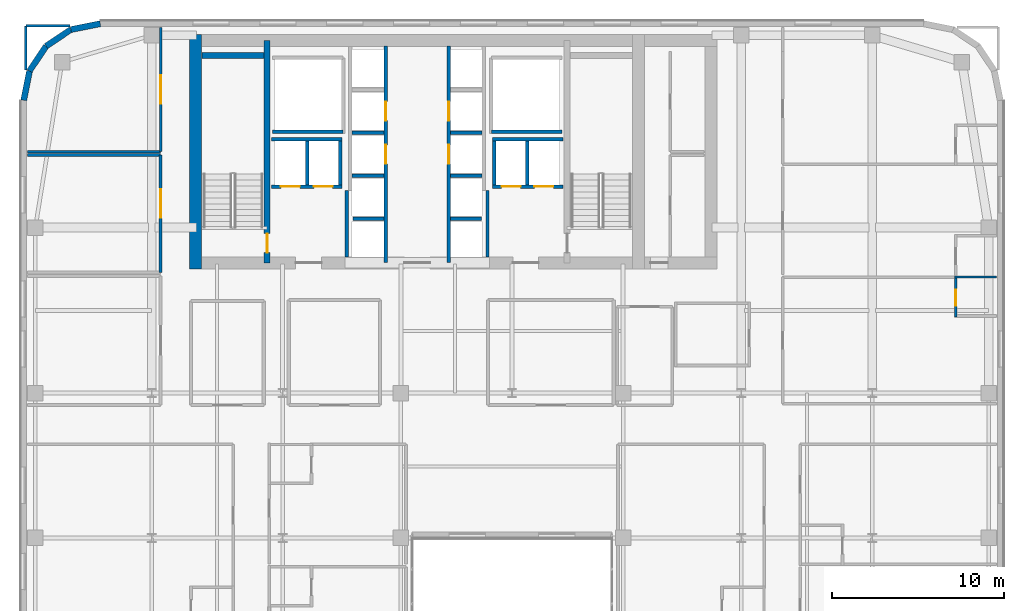
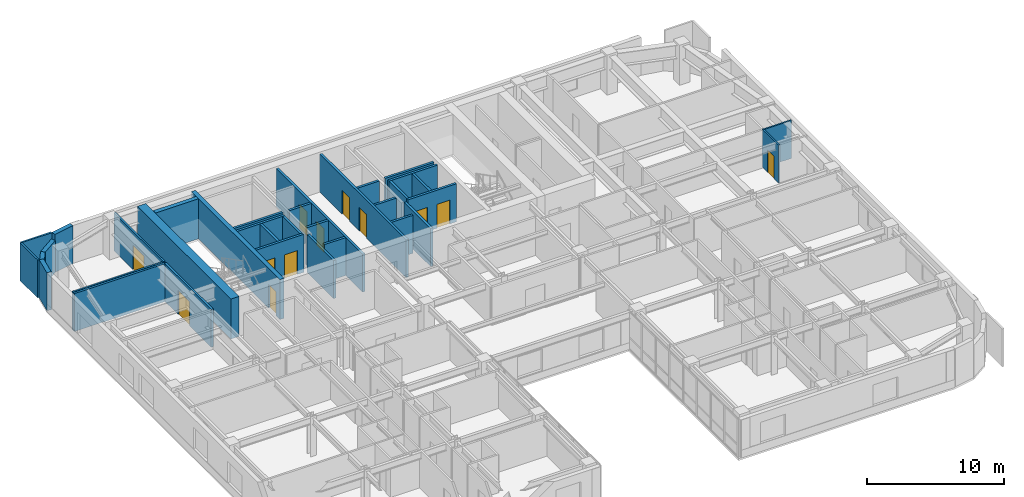
# One storey, part 17 of 24: 35 walls, 12 doors, 12 openings.
"""IFC4 building model written with IfcOpenShell, lengths in metres."""

from ifc_helpers import new_model, si_unit, direction, frame, frame_2d, origin, place, context, subcontext, project, spatial, rectangle, extrude, source, transform, mapped, material, layer, layer_set, type_object, type_shapes, element, fill, save


model = new_model("IFC4")

# Units and contexts
model_context = context("Model", 3, precision=1e-05, world=origin(), true_north=direction((0.0, 1.0)))
body_context = subcontext(model_context, "Body", "Model", "MODEL_VIEW")
ifc_project = project(units=[si_unit("LENGTHUNIT", "METRE"), si_unit("AREAUNIT", "SQUARE_METRE"), si_unit("VOLUMEUNIT", "CUBIC_METRE"), si_unit("PLANEANGLEUNIT", "RADIAN"), si_unit("MASSUNIT", "GRAM", prefix="KILO")], contexts=[model_context])

# Site, building, storey
site_placement = place(None, origin())
site = spatial("IfcSite", under=ifc_project, at=site_placement, CompositionType="ELEMENT")
building_placement = place(site_placement, origin())
building = spatial("IfcBuilding", under=site, at=building_placement, Name="Tolvann Quenvar Hotel", CompositionType="ELEMENT")
storey_placement = place(building_placement, frame((0.0, 0.0, 139.949951171875)))
storey = spatial("IfcBuildingStorey", under=building, at=storey_placement, Name="L36", CompositionType="ELEMENT", Elevation=139.949951171875)

# Wall
ifc_material_1 = material(Name="Concrete S65 (65 MPa)", Category="concrete")
ifc_layer_1 = layer(ifc_material_1, 0.699951171875)
ifc_layer_set_1 = layer_set([ifc_layer_1], Name="Concrete S65 (65 MPa)")
wall_type_1 = type_object("IfcWallType", Name="WALL_CORE_700", PredefinedType="SHEAR", material=ifc_layer_set_1)
wall_1_placement = place(storey_placement, frame((10.14990234375, 31.60009765625, 0.0), z_axis=(0.0, 0.0, 1.0), x_axis=(0.0, 1.0, 0.0)))
element("IfcWall", 1, at=wall_1_placement, inside=storey, type_object=wall_type_1, Name="Rear Core W Shear Wall (L36)", PredefinedType="SHEAR", context=body_context, shape_type="SweptSolid", body=[
    extrude(rectangle(XDim=13.599853515625, YDim=0.699951171875, at=frame_2d((6.7998046875, 0.0))), origin(), (0.0, 0.0, 1.0), 3.550048828125),
])

# Wall, opening, door
ifc_layer_2 = layer(ifc_material_1, 0.35009765625)
ifc_layer_set_2 = layer_set([ifc_layer_2], Name="Concrete S65 (65 MPa)")
wall_type_2 = type_object("IfcWallType", Name="WALL_CORE_INT_350", PredefinedType="SHEAR", material=ifc_layer_set_2)
wall_2_placement = place(storey_placement, frame((14.300048828125, 31.949951171875, 0.0), z_axis=(0.0, 0.0, 1.0), x_axis=(0.0, 1.0, 0.0)))
wall_2 = element("IfcWall", 2, at=wall_2_placement, inside=storey, type_object=wall_type_2, Name="Core Internal Web Shear Wall WEB-W (L36)", PredefinedType="SHEAR", context=body_context, shape_type="SweptSolid", body=[
    extrude(rectangle(XDim=12.900146484375, YDim=0.35009765625, at=frame_2d((6.4501953125, 0.0))), origin(), (0.0, 0.0, 1.0), 3.550048828125),
])
opening_1_placement = place(wall_2_placement, frame((0.60009765625, 0.0, 0.0)))
opening_1 = element("IfcOpeningElement", 3, at=opening_1_placement, cuts=wall_2, Name="Opening FD-120", PredefinedType="OPENING", context=body_context, shape_type="SweptSolid", body=[
    extrude(rectangle(XDim=1.10009765625, YDim=2.1201171875, at=frame_2d((0.550048828125, 1.06005859375))), frame((0.0, 0.18505859375, 0.0), z_axis=(0.0, -1.0, 0.0), x_axis=(1.0, 0.0, 0.0)), (0.0, 0.0, 1.0), 0.3701171875),
])
ifc_material_2 = material(Name="Pressed galvanised steel fire-rated door set", Category="steel")
door_type_1 = type_object("IfcDoorType", Name="DOOR_FIRE_STAIR_1100", OperationType="NOTDEFINED", PredefinedType="DOOR", material=ifc_material_2)
shared_shape_1 = source(origin(), body_context, "Body", "SweptSolid", [
    extrude(rectangle(XDim=1.10009765625, YDim=2.1201171875, at=frame_2d((0.550048828125, 1.06005859375))), frame((0.0, 0.02490234375, 0.0), z_axis=(0.0, -1.0, 0.0), x_axis=(1.0, 0.0, 0.0)), (0.0, 0.0, 1.0), 0.050048828125),
])
type_shapes(door_type_1, [shared_shape_1])
door_1_placement = place(opening_1_placement, origin())
door_1 = element("IfcDoor", 4, at=door_1_placement, inside=storey, type_object=door_type_1, Name="Exit Stair ST-C1 Fire Door (L36)", OperationType="SINGLE_SWING_RIGHT", OverallHeight=2.1201171875, OverallWidth=1.10009765625, PredefinedType="DOOR", context=body_context, shape_type="MappedRepresentation", body=[
    mapped(shared_shape_1, transform((0.0, 0.0, 0.0), x_axis=(1.0, 0.0, 0.0), y_axis=(0.0, 1.0, 0.0), z_axis=(0.0, 0.0, 1.0), scale=1.0)),
])
fill(opening_1, door_1)

# Walls
wall_3_placement = place(storey_placement, frame((10.52001953125, 43.97509765625, 0.0), z_axis=(0.0, 0.0, 1.0), x_axis=(1.0, 0.0, 0.0)))
element("IfcWall", 5, at=wall_3_placement, inside=storey, type_object=wall_type_2, Name="Core Stair North Closing Shear Wall STC1-N (L36)", PredefinedType="SHEAR", context=body_context, shape_type="SweptSolid", body=[
    extrude(rectangle(XDim=3.60009765625, YDim=0.35009765625, at=frame_2d((1.800048828125, 0.0))), origin(), (0.0, 0.0, 1.0), 3.550048828125),
])
ifc_material_3 = material(Name="Kiln-fired red and buff architectural clay brickwork and terracotta masonry", Category="masonry")
ifc_layer_3 = layer(ifc_material_3, 0.35009765625)
ifc_layer_set_3 = layer_set([ifc_layer_3], Name="Kiln-fired red and buff architectural clay brickwork and terracotta masonry")
wall_type_3 = type_object("IfcWallType", Name="WALL_EXT_BRICK_350", PredefinedType="SOLIDWALL", material=ifc_layer_set_3)
wall_4_placement = place(storey_placement, frame((4.6171875, 45.824951171875, 0.0), z_axis=(0.0, 0.0, 1.0), x_axis=(-0.980800971659, -0.195011420161, 0.0)))
element("IfcWall", 6, at=wall_4_placement, inside=storey, type_object=wall_type_3, Name="Exterior Chicago Brick Wall L36-E19", PredefinedType="SOLIDWALL", context=body_context, shape_type="SweptSolid", body=[
    extrude(rectangle(XDim=1.74267578125, YDim=0.35009765625, at=frame_2d((0.871337890625, 0.0))), origin(), (0.0, 0.0, 1.0), 3.3701171875),
])
for number, where, z_axis, x_axis, name in (
    (7, (2.907958984375, 45.485107421875, 0.0), (0.0, 0.0, 1.0), (-0.831483840845, -0.55554893791, 0.0), "Exterior Chicago Brick Wall L36-E20"),
    (8, (1.473388671875, 44.526611328125, 0.0), (0.0, 0.0, 1.0), (-0.55554893791, -0.831483840845, 0.0), "Exterior Chicago Brick Wall L36-E21"),
):
    element("IfcWall", number, at=place(storey_placement, frame(where, z_axis=z_axis, x_axis=x_axis)), inside=storey, type_object=wall_type_3, Name=name, PredefinedType="SOLIDWALL", context=body_context, shape_type="SweptSolid", body=[
        extrude(rectangle(XDim=1.725341796875, YDim=0.35009765625, at=frame_2d((0.86279296875, 0.0))), origin(), (0.0, 0.0, 1.0), 2.83203125),
    ])
wall_5_placement = place(storey_placement, frame((0.514892578125, 43.092041015625, 0.0), z_axis=(0.0, 0.0, 1.0), x_axis=(-0.195011420161, -0.980800971659, 0.0)))
element("IfcWall", 9, at=wall_5_placement, inside=storey, type_object=wall_type_3, Name="Exterior Chicago Brick Wall L36-E22", PredefinedType="SOLIDWALL", context=body_context, shape_type="SweptSolid", body=[
    extrude(rectangle(XDim=1.74267578125, YDim=0.35009765625, at=frame_2d((0.871337890625, 0.0))), origin(), (0.0, 0.0, 1.0), 3.3701171875),
])
ifc_material_4 = material(Name="Acoustic twin-stud fire-rated gypsum plasterboard partition")
ifc_layer_4 = layer(ifc_material_4, 0.179931640625)
ifc_layer_set_4 = layer_set([ifc_layer_4], Name="Acoustic twin-stud fire-rated gypsum plasterboard partition")
wall_type_4 = type_object("IfcWallType", Name="WALL_PART_ACOUSTIC_180", PredefinedType="PARTITIONING", material=ifc_layer_set_4)
wall_6_placement = place(storey_placement, frame((0.405029296875, 38.199951171875, 0.0), z_axis=(0.0, 0.0, 1.0), x_axis=(1.0, 0.0, 0.0)))
element("IfcWall", 10, at=wall_6_placement, inside=storey, type_object=wall_type_4, Name="Interior Partition PT-SPC-L36-MTG-N", PredefinedType="PARTITIONING", context=body_context, shape_type="SweptSolid", body=[
    extrude(rectangle(XDim=7.715087890625, YDim=0.179931640625, at=frame_2d((3.857421875, 0.0))), origin(), (0.0, 0.0, 1.0), 3.3701171875),
])

# Wall, opening, door
wall_7_placement = place(storey_placement, frame((8.1201171875, 31.39990234375, 0.0), z_axis=(0.0, 0.0, 1.0), x_axis=(0.0, 1.0, 0.0)))
wall_7 = element("IfcWall", 11, at=wall_7_placement, inside=storey, type_object=wall_type_4, Name="Interior Partition PT-SPC-L36-MTG-E", PredefinedType="PARTITIONING", context=body_context, shape_type="SweptSolid", body=[
    extrude(rectangle(XDim=6.800048828125, YDim=0.179931640625, at=frame_2d((3.39990234375, 0.0))), origin(), (0.0, 0.0, 1.0), 3.3701171875),
])
opening_2_placement = place(wall_7_placement, frame((3.175048828125, 0.0, 0.0)))
opening_2 = element("IfcOpeningElement", 12, at=opening_2_placement, cuts=wall_7, Name="Opening AD-01", PredefinedType="OPENING", context=body_context, shape_type="SweptSolid", body=[
    extrude(rectangle(XDim=1.64990234375, YDim=2.14990234375, at=frame_2d((0.824951171875, 1.074951171875))), frame((0.0, 0.10009765625, 0.0), z_axis=(0.0, -1.0, 0.0), x_axis=(1.0, 0.0, 0.0)), (0.0, 0.0, 1.0), 0.199951171875),
])
ifc_material_5 = material(Name="Solid-core American oak acoustic fire door leaf in steel frame", Category="steel")
door_type_2 = type_object("IfcDoorType", Name="DOOR_SALON_1650", OperationType="NOTDEFINED", PredefinedType="DOOR", material=ifc_material_5)
shared_shape_2 = source(origin(), body_context, "Body", "SweptSolid", [
    extrude(rectangle(XDim=1.64990234375, YDim=2.14990234375, at=frame_2d((0.824951171875, 1.074951171875))), frame((0.0, 0.02490234375, 0.0), z_axis=(0.0, -1.0, 0.0), x_axis=(1.0, 0.0, 0.0)), (0.0, 0.0, 1.0), 0.050048828125),
])
type_shapes(door_type_2, [shared_shape_2])
door_2_placement = place(opening_2_placement, origin())
door_2 = element("IfcDoor", 13, at=door_2_placement, inside=storey, type_object=door_type_2, Name="Interior Door DOOR-SPC-L36-MTG", OperationType="DOUBLE_DOOR_SINGLE_SWING", OverallHeight=2.14990234375, OverallWidth=1.64990234375, PredefinedType="DOOR", context=body_context, shape_type="MappedRepresentation", body=[
    mapped(shared_shape_2, transform((0.0, 0.0, 0.0), x_axis=(1.0, 0.0, 0.0), y_axis=(0.0, 1.0, 0.0), z_axis=(0.0, 0.0, 1.0), scale=1.0)),
])
fill(opening_2, door_2)

# Wall
ifc_material_6 = material(Name="Moisture-resistant acoustic plumbing wall assembly")
ifc_layer_5 = layer(ifc_material_6, 0.1201171875)
ifc_layer_set_5 = layer_set([ifc_layer_5], Name="Moisture-resistant acoustic plumbing wall assembly")
wall_type_5 = type_object("IfcWallType", Name="WALL_PART_BATH_120", PredefinedType="PLUMBINGWALL", material=ifc_layer_set_5)
wall_8_placement = place(storey_placement, frame((54.179931640625, 31.1201171875, 0.0), z_axis=(0.0, 0.0, 1.0), x_axis=(1.0, 0.0, 0.0)))
element("IfcWall", 14, at=wall_8_placement, inside=storey, type_object=wall_type_5, Name="Non-Rated Plumbing Partition PT-SPC-L36-ENS-NE01-N", PredefinedType="PLUMBINGWALL", context=body_context, shape_type="SweptSolid", body=[
    extrude(rectangle(XDim=2.4150390625, YDim=0.1201171875, at=frame_2d((1.20751953125, 0.0))), origin(), (0.0, 0.0, 1.0), 3.3701171875),
])

# Wall, opening, door
ifc_layer_6 = layer(ifc_material_4, 0.14990234375)
ifc_layer_set_6 = layer_set([ifc_layer_6], Name="Acoustic twin-stud fire-rated gypsum plasterboard partition")
wall_type_6 = type_object("IfcWallType", Name="WALL_PART_SUITE_150", PredefinedType="PARTITIONING", material=ifc_layer_set_6)
wall_9_placement = place(storey_placement, frame((54.25, 28.800048828125, 0.0), z_axis=(0.0, 0.0, 1.0), x_axis=(0.0, 1.0, 0.0)))
wall_9 = element("IfcWall", 15, at=wall_9_placement, inside=storey, type_object=wall_type_6, Name="Interior Partition PT-SPC-L36-ENS-NE01-ENT", PredefinedType="PARTITIONING", context=body_context, shape_type="SweptSolid", body=[
    extrude(rectangle(XDim=2.389892578125, YDim=0.14990234375, at=frame_2d((1.19482421875, 0.0))), origin(), (0.0, 0.0, 1.0), 3.3701171875),
])
opening_3_placement = place(wall_9_placement, frame((0.6650390625, 0.0, 0.0)))
opening_3 = element("IfcOpeningElement", 16, at=opening_3_placement, cuts=wall_9, Name="Opening WD-01", PredefinedType="OPENING", context=body_context, shape_type="SweptSolid", body=[
    extrude(rectangle(XDim=0.919921875, YDim=2.010009765625, at=frame_2d((0.4599609375, 1.0048828125))), frame((0.0, 0.0849609375, 0.0), z_axis=(0.0, -1.0, 0.0), x_axis=(1.0, 0.0, 0.0)), (0.0, 0.0, 1.0), 0.169921875),
])
door_type_3 = type_object("IfcDoorType", Name="DOOR_WC_920", OperationType="NOTDEFINED", PredefinedType="DOOR", material=ifc_material_5)
shared_shape_3 = source(origin(), body_context, "Body", "SweptSolid", [
    extrude(rectangle(XDim=0.919921875, YDim=2.010009765625, at=frame_2d((0.4599609375, 1.0048828125))), frame((0.0, 0.02490234375, 0.0), z_axis=(0.0, -1.0, 0.0), x_axis=(1.0, 0.0, 0.0)), (0.0, 0.0, 1.0), 0.050048828125),
])
type_shapes(door_type_3, [shared_shape_3])
door_3_placement = place(opening_3_placement, origin())
door_3 = element("IfcDoor", 17, at=door_3_placement, inside=storey, type_object=door_type_3, Name="Interior Door DOOR-SPC-L36-ENS-NE01", OperationType="SINGLE_SWING_RIGHT", OverallHeight=2.010009765625, OverallWidth=0.919921875, PredefinedType="DOOR", context=body_context, shape_type="MappedRepresentation", body=[
    mapped(shared_shape_3, transform((0.0, 0.0, 0.0), x_axis=(1.0, 0.0, 0.0), y_axis=(0.0, 1.0, 0.0), z_axis=(0.0, 0.0, 1.0), scale=1.0)),
])
fill(opening_3, door_3)

# Walls
wall_10_placement = place(storey_placement, frame((0.405029296875, 38.39990234375, 0.0), z_axis=(0.0, 0.0, 1.0), x_axis=(1.0, 0.0, 0.0)))
element("IfcWall", 18, at=wall_10_placement, inside=storey, type_object=wall_type_6, Name="Interior Partition PT-SPC-L36-TEA-S", PredefinedType="PARTITIONING", context=body_context, shape_type="SweptSolid", body=[
    extrude(rectangle(XDim=7.715087890625, YDim=0.14990234375, at=frame_2d((3.857421875, 0.0))), origin(), (0.0, 0.0, 1.0), 3.3701171875),
])
for number, where, z_axis, x_axis, name in (
    (19, (0.300048828125, 45.699951171875, 0.0), (0.0, 0.0, 1.0), (1.0, 0.0, 0.0), "Interior Partition PT-SPC-L36-TEA-N"),
    (20, (0.300048828125, 43.135009765625, 0.0), (0.0, 0.0, 1.0), (0.0, 1.0, 0.0), "Interior Partition PT-SPC-L36-TEA-W"),
):
    element("IfcWall", number, at=place(storey_placement, frame(where, z_axis=z_axis, x_axis=x_axis)), inside=storey, type_object=wall_type_6, Name=name, PredefinedType="PARTITIONING", context=body_context, shape_type="SweptSolid", body=[
        extrude(rectangle(XDim=2.56494140625, YDim=0.14990234375, at=frame_2d((1.282470703125, 0.0))), origin(), (0.0, 0.0, 1.0), 3.3701171875),
    ])

# Wall, opening, door
wall_11_placement = place(storey_placement, frame((8.1201171875, 38.39990234375, 0.0), z_axis=(0.0, 0.0, 1.0), x_axis=(0.0, 1.0, 0.0)))
wall_11 = element("IfcWall", 21, at=wall_11_placement, inside=storey, type_object=wall_type_6, Name="Interior Partition PT-SPC-L36-TEA-E", PredefinedType="PARTITIONING", context=body_context, shape_type="SweptSolid", body=[
    extrude(rectangle(XDim=7.195068359375, YDim=0.14990234375, at=frame_2d((3.59765625, 0.0))), origin(), (0.0, 0.0, 1.0), 3.3701171875),
])
opening_4_placement = place(wall_11_placement, frame((2.7724609375, 0.0, 0.0)))
opening_4 = element("IfcOpeningElement", 22, at=opening_4_placement, cuts=wall_11, Name="Opening AD-01", PredefinedType="OPENING", context=body_context, shape_type="SweptSolid", body=[
    extrude(rectangle(XDim=1.64990234375, YDim=2.14990234375, at=frame_2d((0.824951171875, 1.074951171875))), frame((0.0, 0.0849609375, 0.0), z_axis=(0.0, -1.0, 0.0), x_axis=(1.0, 0.0, 0.0)), (0.0, 0.0, 1.0), 0.169921875),
])
door_4_placement = place(opening_4_placement, origin())
door_4 = element("IfcDoor", 23, at=door_4_placement, inside=storey, type_object=door_type_2, Name="Interior Door DOOR-SPC-L36-TEA", OperationType="DOUBLE_DOOR_SINGLE_SWING", OverallHeight=2.14990234375, OverallWidth=1.64990234375, PredefinedType="DOOR", context=body_context, shape_type="MappedRepresentation", body=[
    mapped(shared_shape_2, transform((0.0, 0.0, 0.0), x_axis=(1.0, 0.0, 0.0), y_axis=(0.0, 1.0, 0.0), z_axis=(0.0, 0.0, 1.0), scale=1.0)),
])
fill(opening_4, door_4)

# Walls
ifc_material_7 = material(Name="Concrete N40 (40 MPa)", Category="concrete")
ifc_layer_7 = layer(ifc_material_7, 0.199951171875)
ifc_layer_set_7 = layer_set([ifc_layer_7], Name="Concrete N40 (40 MPa)")
wall_type_7 = type_object("IfcWallType", Name="WALL_SHAFT_200", PredefinedType="SOLIDWALL", material=ifc_layer_set_7)
for number, where, z_axis, x_axis, name in (
    (24, (14.60009765625, 39.550048828125, 0.0), (0.0, 0.0, 1.0), (1.0, 0.0, 0.0), "Service Riser W Shaft Wall S (L36)"),
    (25, (27.300048828125, 39.550048828125, 0.0), (0.0, 0.0, 1.0), (1.0, 0.0, 0.0), "Service Riser E Shaft Wall S (L36)"),
):
    element("IfcWall", number, at=place(storey_placement, frame(where, z_axis=z_axis, x_axis=x_axis)), inside=storey, type_object=wall_type_7, Name=name, PredefinedType="SOLIDWALL", context=body_context, shape_type="SweptSolid", body=[
        extrude(rectangle(XDim=4.099853515625, YDim=0.199951171875, at=frame_2d((2.0498046875, 0.0))), origin(), (0.0, 0.0, 1.0), 3.3701171875),
    ])
for number, where, z_axis, x_axis, name in (
    (26, (18.919921875, 32.303955078125, 0.0), (0.0, 0.0, 1.0), (0.0, 1.0, 0.0), "Firefighting Lobby W Inner Fire Wall (L36)"),
    (27, (27.080078125, 32.303955078125, 0.0), (0.0, 0.0, 1.0), (0.0, 1.0, 0.0), "Firefighting Lobby E Inner Fire Wall (L36)"),
):
    element("IfcWall", number, at=place(storey_placement, frame(where, z_axis=z_axis, x_axis=x_axis)), inside=storey, type_object=wall_type_7, Name=name, PredefinedType="SOLIDWALL", context=body_context, shape_type="SweptSolid", body=[
        extrude(rectangle(XDim=3.845947265625, YDim=0.199951171875, at=frame_2d((1.9228515625, 0.0))), origin(), (0.0, 0.0, 1.0), 3.3701171875),
    ])

# Wall, openings, doors
wall_12_placement = place(storey_placement, frame((21.169921875, 31.9599609375, 0.0), z_axis=(0.0, 0.0, 1.0), x_axis=(0.0, 1.0, 0.0)))
wall_12 = element("IfcWall", 28, at=wall_12_placement, inside=storey, type_object=wall_type_7, Name="Lift Bank E21.1C1 Hoistway Front Wall (L36)", PredefinedType="SOLIDWALL", context=body_context, shape_type="SweptSolid", body=[
    extrude(rectangle(XDim=12.580078125, YDim=0.199951171875, at=frame_2d((6.2900390625, 0.0))), origin(), (0.0, 0.0, 1.0), 3.3701171875),
])
opening_5_placement = place(wall_12_placement, frame((5.739990234375, 0.0, 0.0)))
opening_5 = element("IfcOpeningElement", 29, at=opening_5_placement, cuts=wall_12, Name="Opening LD-01", PredefinedType="OPENING", context=body_context, shape_type="SweptSolid", body=[
    extrude(rectangle(XDim=1.10009765625, YDim=2.1201171875, at=frame_2d((0.550048828125, 1.06005859375))), frame((0.0, 0.10986328125, 0.0), z_axis=(0.0, -1.0, 0.0), x_axis=(1.0, 0.0, 0.0)), (0.0, 0.0, 1.0), 0.219970703125),
])
opening_6_placement = place(wall_12_placement, frame((8.239990234375, 0.0, 0.0)))
opening_6 = element("IfcOpeningElement", 30, at=opening_6_placement, cuts=wall_12, Name="Opening LD-01", PredefinedType="OPENING", context=body_context, shape_type="SweptSolid", body=[
    extrude(rectangle(XDim=1.10009765625, YDim=2.1201171875, at=frame_2d((0.550048828125, 1.06005859375))), frame((0.0, 0.10986328125, 0.0), z_axis=(0.0, -1.0, 0.0), x_axis=(1.0, 0.0, 0.0)), (0.0, 0.0, 1.0), 0.219970703125),
])
ifc_material_8 = material(Name="Brushed 316 stainless steel automatic sliding lift landing door", Category="steel")
door_type_4 = type_object("IfcDoorType", Name="DOOR_LIFT_SLIDE_1100", OperationType="NOTDEFINED", PredefinedType="DOOR", material=ifc_material_8)
shared_shape_4 = source(origin(), body_context, "Body", "SweptSolid", [
    extrude(rectangle(XDim=1.10009765625, YDim=2.1201171875, at=frame_2d((0.550048828125, 1.06005859375))), frame((0.0, 0.02490234375, 0.0), z_axis=(0.0, -1.0, 0.0), x_axis=(1.0, 0.0, 0.0)), (0.0, 0.0, 1.0), 0.050048828125),
])
type_shapes(door_type_4, [shared_shape_4])
door_5_placement = place(opening_5_placement, origin())
door_5 = element("IfcDoor", 31, at=door_5_placement, inside=storey, type_object=door_type_4, Name="Lift PM-1 Sliding Landing Door (L36)", OperationType="SLIDING_TO_RIGHT", OverallHeight=2.1201171875, OverallWidth=1.10009765625, PredefinedType="DOOR", context=body_context, shape_type="MappedRepresentation", body=[
    mapped(shared_shape_4, transform((0.0, 0.0, 0.0), x_axis=(1.0, 0.0, 0.0), y_axis=(0.0, 1.0, 0.0), z_axis=(0.0, 0.0, 1.0), scale=1.0)),
])
fill(opening_5, door_5)
door_6_placement = place(opening_6_placement, origin())
door_6 = element("IfcDoor", 32, at=door_6_placement, inside=storey, type_object=door_type_4, Name="Lift PM-2 Sliding Landing Door (L36)", OperationType="SLIDING_TO_LEFT", OverallHeight=2.1201171875, OverallWidth=1.10009765625, PredefinedType="DOOR", context=body_context, shape_type="MappedRepresentation", body=[
    mapped(shared_shape_4, transform((0.0, 0.0, 0.0), x_axis=(1.0, 0.0, 0.0), y_axis=(0.0, 1.0, 0.0), z_axis=(0.0, 0.0, 1.0), scale=1.0)),
])
fill(opening_6, door_6)

# Walls
wall_13_placement = place(storey_placement, frame((19.27001953125, 34.5, 0.0), z_axis=(0.0, 0.0, 1.0), x_axis=(1.0, 0.0, 0.0)))
element("IfcWall", 33, at=wall_13_placement, inside=storey, type_object=wall_type_7, Name="Lift Bank E21.1C1 Divider Wall 1 (L36)", PredefinedType="SOLIDWALL", context=body_context, shape_type="SweptSolid", body=[
    extrude(rectangle(XDim=1.800048828125, YDim=0.199951171875, at=frame_2d((0.89990234375, 0.0))), origin(), (0.0, 0.0, 1.0), 3.3701171875),
])
for number, where, z_axis, x_axis, name in (
    (34, (19.22998046875, 37.0, 0.0), (0.0, 0.0, 1.0), (1.0, 0.0, 0.0), "Lift Bank E21.1C1 Divider Wall 2 (L36)"),
    (35, (19.22998046875, 39.5, 0.0), (0.0, 0.0, 1.0), (1.0, 0.0, 0.0), "Lift Bank E21.1C1 Divider Wall 3 (L36)"),
):
    element("IfcWall", number, at=place(storey_placement, frame(where, z_axis=z_axis, x_axis=x_axis)), inside=storey, type_object=wall_type_7, Name=name, PredefinedType="SOLIDWALL", context=body_context, shape_type="SweptSolid", body=[
        extrude(rectangle(XDim=1.840087890625, YDim=0.199951171875, at=frame_2d((0.919921875, 0.0))), origin(), (0.0, 0.0, 1.0), 3.3701171875),
    ])

# Wall, openings, doors
wall_14_placement = place(storey_placement, frame((27.375, 36.3798828125, 0.0), z_axis=(0.0, 0.0, 1.0), x_axis=(1.0, 0.0, 0.0)))
wall_14 = element("IfcWall", 36, at=wall_14_placement, inside=storey, type_object=wall_type_7, Name="Lift Bank SEC1 Hoistway Front Wall (L36)", PredefinedType="SOLIDWALL", context=body_context, shape_type="SweptSolid", body=[
    extrude(rectangle(XDim=4.074951171875, YDim=0.199951171875, at=frame_2d((2.03759765625, 0.0))), origin(), (0.0, 0.0, 1.0), 3.3701171875),
])
opening_7_placement = place(wall_14_placement, frame((0.52490234375, 0.0, 0.0)))
opening_7 = element("IfcOpeningElement", 37, at=opening_7_placement, cuts=wall_14, Name="Opening LD-01", PredefinedType="OPENING", context=body_context, shape_type="SweptSolid", body=[
    extrude(rectangle(XDim=1.10009765625, YDim=2.1201171875, at=frame_2d((0.550048828125, 1.06005859375))), frame((0.0, 0.10986328125, 0.0), z_axis=(0.0, -1.0, 0.0), x_axis=(1.0, 0.0, 0.0)), (0.0, 0.0, 1.0), 0.219970703125),
])
opening_8_placement = place(wall_14_placement, frame((2.425048828125, 0.0, 0.0)))
opening_8 = element("IfcOpeningElement", 38, at=opening_8_placement, cuts=wall_14, Name="Opening LD-01", PredefinedType="OPENING", context=body_context, shape_type="SweptSolid", body=[
    extrude(rectangle(XDim=1.10009765625, YDim=2.1201171875, at=frame_2d((0.550048828125, 1.06005859375))), frame((0.0, 0.10986328125, 0.0), z_axis=(0.0, -1.0, 0.0), x_axis=(1.0, 0.0, 0.0)), (0.0, 0.0, 1.0), 0.219970703125),
])
door_7_placement = place(opening_7_placement, origin())
door_7 = element("IfcDoor", 39, at=door_7_placement, inside=storey, type_object=door_type_4, Name="Lift SV-2 Sliding Landing Door (L36)", OperationType="SLIDING_TO_LEFT", OverallHeight=2.1201171875, OverallWidth=1.10009765625, PredefinedType="DOOR", context=body_context, shape_type="MappedRepresentation", body=[
    mapped(shared_shape_4, transform((0.0, 0.0, 0.0), x_axis=(1.0, 0.0, 0.0), y_axis=(0.0, 1.0, 0.0), z_axis=(0.0, 0.0, 1.0), scale=1.0)),
])
fill(opening_7, door_7)
door_8_placement = place(opening_8_placement, origin())
door_8 = element("IfcDoor", 40, at=door_8_placement, inside=storey, type_object=door_type_4, Name="Lift FF-2 Sliding Landing Door (L36)", OperationType="SLIDING_TO_RIGHT", OverallHeight=2.1201171875, OverallWidth=1.10009765625, PredefinedType="DOOR", context=body_context, shape_type="MappedRepresentation", body=[
    mapped(shared_shape_4, transform((0.0, 0.0, 0.0), x_axis=(1.0, 0.0, 0.0), y_axis=(0.0, 1.0, 0.0), z_axis=(0.0, 0.0, 1.0), scale=1.0)),
])
fill(opening_8, door_8)

# Walls
wall_15_placement = place(storey_placement, frame((27.375, 39.1201171875, 0.0), z_axis=(0.0, 0.0, 1.0), x_axis=(1.0, 0.0, 0.0)))
element("IfcWall", 41, at=wall_15_placement, inside=storey, type_object=wall_type_7, Name="Lift Bank SEC1 Hoistway Rear Wall (L36)", PredefinedType="SOLIDWALL", context=body_context, shape_type="SweptSolid", body=[
    extrude(rectangle(XDim=4.074951171875, YDim=0.199951171875, at=frame_2d((2.03759765625, 0.0))), origin(), (0.0, 0.0, 1.0), 3.3701171875),
])
for number, where, z_axis, x_axis, name in (
    (42, (27.47509765625, 36.47998046875, 0.0), (0.0, 0.0, 1.0), (0.0, 1.0, 0.0), "Lift Bank SEC1 Hoistway Cheek Wall 1 (L36)"),
    (43, (29.387451171875, 36.47998046875, 0.0), (0.0, 0.0, 1.0), (0.0, 1.0, 0.0), "Lift Bank SEC1 Divider Wall 1 (L36)"),
):
    element("IfcWall", number, at=place(storey_placement, frame(where, z_axis=z_axis, x_axis=x_axis)), inside=storey, type_object=wall_type_7, Name=name, PredefinedType="SOLIDWALL", context=body_context, shape_type="SweptSolid", body=[
        extrude(rectangle(XDim=2.5400390625, YDim=0.199951171875, at=frame_2d((1.27001953125, 0.0))), origin(), (0.0, 0.0, 1.0), 3.3701171875),
    ])

# Wall, openings, doors
wall_16_placement = place(storey_placement, frame((14.550048828125, 36.3798828125, 0.0), z_axis=(0.0, 0.0, 1.0), x_axis=(1.0, 0.0, 0.0)))
wall_16 = element("IfcWall", 44, at=wall_16_placement, inside=storey, type_object=wall_type_7, Name="Lift Bank SWC1 Hoistway Front Wall (L36)", PredefinedType="SOLIDWALL", context=body_context, shape_type="SweptSolid", body=[
    extrude(rectangle(XDim=4.074951171875, YDim=0.199951171875, at=frame_2d((2.03759765625, 0.0))), origin(), (0.0, 0.0, 1.0), 3.3701171875),
])
opening_9_placement = place(wall_16_placement, frame((0.550048828125, 0.0, 0.0)))
opening_9 = element("IfcOpeningElement", 45, at=opening_9_placement, cuts=wall_16, Name="Opening LD-01", PredefinedType="OPENING", context=body_context, shape_type="SweptSolid", body=[
    extrude(rectangle(XDim=1.10009765625, YDim=2.1201171875, at=frame_2d((0.550048828125, 1.06005859375))), frame((0.0, 0.10986328125, 0.0), z_axis=(0.0, -1.0, 0.0), x_axis=(1.0, 0.0, 0.0)), (0.0, 0.0, 1.0), 0.219970703125),
])
opening_10_placement = place(wall_16_placement, frame((2.449951171875, 0.0, 0.0)))
opening_10 = element("IfcOpeningElement", 46, at=opening_10_placement, cuts=wall_16, Name="Opening LD-01", PredefinedType="OPENING", context=body_context, shape_type="SweptSolid", body=[
    extrude(rectangle(XDim=1.10009765625, YDim=2.1201171875, at=frame_2d((0.550048828125, 1.06005859375))), frame((0.0, 0.10986328125, 0.0), z_axis=(0.0, -1.0, 0.0), x_axis=(1.0, 0.0, 0.0)), (0.0, 0.0, 1.0), 0.219970703125),
])
door_9_placement = place(opening_9_placement, origin())
door_9 = element("IfcDoor", 47, at=door_9_placement, inside=storey, type_object=door_type_4, Name="Lift FF-1 Sliding Landing Door (L36)", OperationType="SLIDING_TO_LEFT", OverallHeight=2.1201171875, OverallWidth=1.10009765625, PredefinedType="DOOR", context=body_context, shape_type="MappedRepresentation", body=[
    mapped(shared_shape_4, transform((0.0, 0.0, 0.0), x_axis=(1.0, 0.0, 0.0), y_axis=(0.0, 1.0, 0.0), z_axis=(0.0, 0.0, 1.0), scale=1.0)),
])
fill(opening_9, door_9)
door_10_placement = place(opening_10_placement, origin())
door_10 = element("IfcDoor", 48, at=door_10_placement, inside=storey, type_object=door_type_4, Name="Lift SV-1 Sliding Landing Door (L36)", OperationType="SLIDING_TO_RIGHT", OverallHeight=2.1201171875, OverallWidth=1.10009765625, PredefinedType="DOOR", context=body_context, shape_type="MappedRepresentation", body=[
    mapped(shared_shape_4, transform((0.0, 0.0, 0.0), x_axis=(1.0, 0.0, 0.0), y_axis=(0.0, 1.0, 0.0), z_axis=(0.0, 0.0, 1.0), scale=1.0)),
])
fill(opening_10, door_10)

# Walls
wall_17_placement = place(storey_placement, frame((14.550048828125, 39.1201171875, 0.0), z_axis=(0.0, 0.0, 1.0), x_axis=(1.0, 0.0, 0.0)))
element("IfcWall", 49, at=wall_17_placement, inside=storey, type_object=wall_type_7, Name="Lift Bank SWC1 Hoistway Rear Wall (L36)", PredefinedType="SOLIDWALL", context=body_context, shape_type="SweptSolid", body=[
    extrude(rectangle(XDim=4.074951171875, YDim=0.199951171875, at=frame_2d((2.03759765625, 0.0))), origin(), (0.0, 0.0, 1.0), 3.3701171875),
])
for number, where, z_axis, x_axis, name in (
    (50, (18.52490234375, 36.47998046875, 0.0), (0.0, 0.0, 1.0), (0.0, 1.0, 0.0), "Lift Bank SWC1 Hoistway Cheek Wall 2 (L36)"),
    (51, (16.612548828125, 36.47998046875, 0.0), (0.0, 0.0, 1.0), (0.0, 1.0, 0.0), "Lift Bank SWC1 Divider Wall 1 (L36)"),
):
    element("IfcWall", number, at=place(storey_placement, frame(where, z_axis=z_axis, x_axis=x_axis)), inside=storey, type_object=wall_type_7, Name=name, PredefinedType="SOLIDWALL", context=body_context, shape_type="SweptSolid", body=[
        extrude(rectangle(XDim=2.5400390625, YDim=0.199951171875, at=frame_2d((1.27001953125, 0.0))), origin(), (0.0, 0.0, 1.0), 3.3701171875),
    ])

# Wall, openings, doors
wall_18_placement = place(storey_placement, frame((24.830078125, 31.9599609375, 0.0), z_axis=(0.0, 0.0, 1.0), x_axis=(0.0, 1.0, 0.0)))
wall_18 = element("IfcWall", 52, at=wall_18_placement, inside=storey, type_object=wall_type_7, Name="Lift Bank W24.9C1 Hoistway Front Wall (L36)", PredefinedType="SOLIDWALL", context=body_context, shape_type="SweptSolid", body=[
    extrude(rectangle(XDim=12.580078125, YDim=0.199951171875, at=frame_2d((6.2900390625, 0.0))), origin(), (0.0, 0.0, 1.0), 3.3701171875),
])
opening_11_placement = place(wall_18_placement, frame((5.739990234375, 0.0, 0.0)))
opening_11 = element("IfcOpeningElement", 53, at=opening_11_placement, cuts=wall_18, Name="Opening LD-01", PredefinedType="OPENING", context=body_context, shape_type="SweptSolid", body=[
    extrude(rectangle(XDim=1.10009765625, YDim=2.1201171875, at=frame_2d((0.550048828125, 1.06005859375))), frame((0.0, 0.10986328125, 0.0), z_axis=(0.0, -1.0, 0.0), x_axis=(1.0, 0.0, 0.0)), (0.0, 0.0, 1.0), 0.219970703125),
])
opening_12_placement = place(wall_18_placement, frame((8.239990234375, 0.0, 0.0)))
opening_12 = element("IfcOpeningElement", 54, at=opening_12_placement, cuts=wall_18, Name="Opening LD-01", PredefinedType="OPENING", context=body_context, shape_type="SweptSolid", body=[
    extrude(rectangle(XDim=1.10009765625, YDim=2.1201171875, at=frame_2d((0.550048828125, 1.06005859375))), frame((0.0, 0.10986328125, 0.0), z_axis=(0.0, -1.0, 0.0), x_axis=(1.0, 0.0, 0.0)), (0.0, 0.0, 1.0), 0.219970703125),
])
door_11_placement = place(opening_11_placement, origin())
door_11 = element("IfcDoor", 55, at=door_11_placement, inside=storey, type_object=door_type_4, Name="Lift PM-3 Sliding Landing Door (L36)", OperationType="SLIDING_TO_RIGHT", OverallHeight=2.1201171875, OverallWidth=1.10009765625, PredefinedType="DOOR", context=body_context, shape_type="MappedRepresentation", body=[
    mapped(shared_shape_4, transform((0.0, 0.0, 0.0), x_axis=(1.0, 0.0, 0.0), y_axis=(0.0, 1.0, 0.0), z_axis=(0.0, 0.0, 1.0), scale=1.0)),
])
fill(opening_11, door_11)
door_12_placement = place(opening_12_placement, origin())
door_12 = element("IfcDoor", 56, at=door_12_placement, inside=storey, type_object=door_type_4, Name="Lift PM-4 Sliding Landing Door (L36)", OperationType="SLIDING_TO_LEFT", OverallHeight=2.1201171875, OverallWidth=1.10009765625, PredefinedType="DOOR", context=body_context, shape_type="MappedRepresentation", body=[
    mapped(shared_shape_4, transform((0.0, 0.0, 0.0), x_axis=(1.0, 0.0, 0.0), y_axis=(0.0, 1.0, 0.0), z_axis=(0.0, 0.0, 1.0), scale=1.0)),
])
fill(opening_12, door_12)

# Walls
wall_19_placement = place(storey_placement, frame((24.929931640625, 34.5, 0.0), z_axis=(0.0, 0.0, 1.0), x_axis=(1.0, 0.0, 0.0)))
element("IfcWall", 57, at=wall_19_placement, inside=storey, type_object=wall_type_7, Name="Lift Bank W24.9C1 Divider Wall 1 (L36)", PredefinedType="SOLIDWALL", context=body_context, shape_type="SweptSolid", body=[
    extrude(rectangle(XDim=1.800048828125, YDim=0.199951171875, at=frame_2d((0.89990234375, 0.0))), origin(), (0.0, 0.0, 1.0), 3.3701171875),
])
for number, where, z_axis, x_axis, name in (
    (58, (24.929931640625, 37.0, 0.0), (0.0, 0.0, 1.0), (1.0, 0.0, 0.0), "Lift Bank W24.9C1 Divider Wall 2 (L36)"),
    (59, (24.929931640625, 39.5, 0.0), (0.0, 0.0, 1.0), (1.0, 0.0, 0.0), "Lift Bank W24.9C1 Divider Wall 3 (L36)"),
):
    element("IfcWall", number, at=place(storey_placement, frame(where, z_axis=z_axis, x_axis=x_axis)), inside=storey, type_object=wall_type_7, Name=name, PredefinedType="SOLIDWALL", context=body_context, shape_type="SweptSolid", body=[
        extrude(rectangle(XDim=1.840087890625, YDim=0.199951171875, at=frame_2d((0.919921875, 0.0))), origin(), (0.0, 0.0, 1.0), 3.3701171875),
    ])

save(model, "model.ifc")
